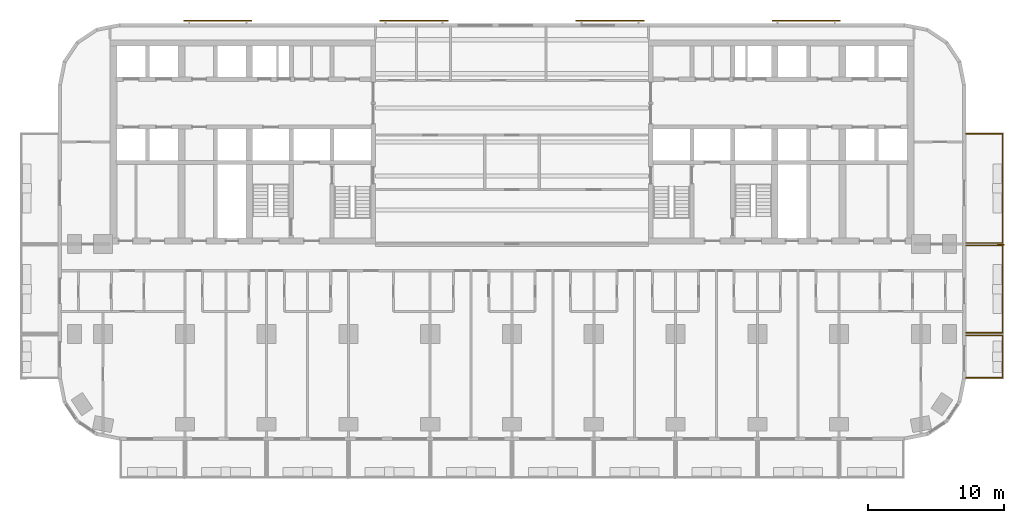
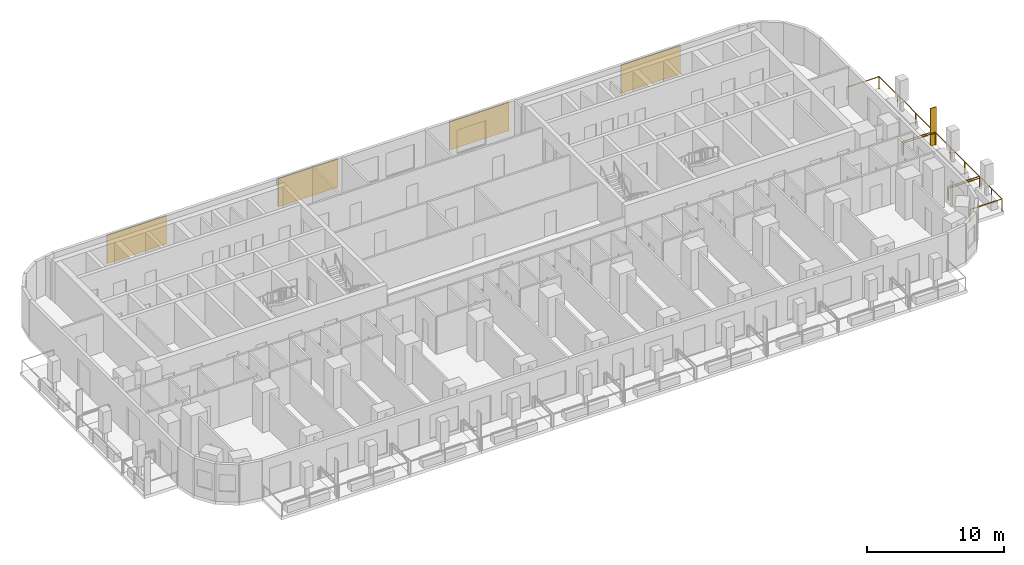
# One storey, part 14 of 15: 5 shading devices, 3 railings.
"""IFC4 building model written with IfcOpenShell, lengths in metres."""

from ifc_helpers import new_model, si_unit, direction, frame, origin, origin_2d, place, context, subcontext, project, spatial, rectangle, circle, extrude, material, layer, layer_set, type_object, element, save


model = new_model("IFC4")

# Units and contexts
model_context = context("Model", 3, precision=1e-05, world=origin(), true_north=direction((0.0, 1.0)))
body_context = subcontext(model_context, "Body", "Model", "MODEL_VIEW")
ifc_project = project(units=[si_unit("LENGTHUNIT", "METRE"), si_unit("AREAUNIT", "SQUARE_METRE"), si_unit("VOLUMEUNIT", "CUBIC_METRE"), si_unit("PLANEANGLEUNIT", "RADIAN"), si_unit("MASSUNIT", "GRAM", prefix="KILO")], contexts=[model_context])

# Site, building, storey
site_placement = place(None, origin())
site = spatial("IfcSite", under=ifc_project, at=site_placement, CompositionType="ELEMENT")
building_placement = place(site_placement, origin())
building = spatial("IfcBuilding", under=site, at=building_placement, Name="Torana Hotel and Residences", CompositionType="ELEMENT")
storey_placement = place(building_placement, frame((0.0, 0.0, 31.199951171875)))
storey = spatial("IfcBuildingStorey", under=building, at=storey_placement, Name="L06", CompositionType="ELEMENT", Elevation=31.199951171875)

# Shading device
ifc_material_1 = material(Name="Black powder coated aluminium", Category="aluminium")
ifc_layer_1 = layer(ifc_material_1, 0.080078125)
ifc_layer_set_1 = layer_set([ifc_layer_1], Name="FN1 VERTICAL FIN 500x80")
shading_device_type_1 = type_object("IfcShadingDeviceType", Name="FN1 VERTICAL FIN 500x80", PredefinedType="USERDEFINED", material=ifc_layer_set_1)
shading_device_placement = place(storey_placement, frame((35.85009765625, -15.0400390625, 0.0), z_axis=(0.0, 0.0, 1.0), x_axis=(0.0, -1.0, 0.0)))
element("IfcShadingDevice", 1, at=shading_device_placement, inside=storey, type_object=shading_device_type_1, Name="Fin 15", ObjectType="FIN", PredefinedType="USERDEFINED", context=body_context, shape_type="SweptSolid", body=[
    extrude(rectangle(XDim=0.080078125, YDim=0.5, at=origin_2d()), origin(), (0.0, 0.0, 1.0), 3.320068359375),
])

# Railings
ifc_material_2 = material(Name="Laminated glass balustrade with black handrail", Category="glass")
railing_type = type_object("IfcRailingType", Name="GR1 BALCONY GUARD 1100 GLASS", PredefinedType="GUARDRAIL", material=ifc_material_2)
railing_1_placement = place(storey_placement, frame((33.300048828125, -21.699951171875, 0.0)))
element("IfcRailing", 2, at=railing_1_placement, inside=storey, type_object=railing_type, Name="Balcony guard 14", PredefinedType="GUARDRAIL", context=body_context, shape_type="SweptSolid", body=[
    extrude(circle(Radius=0.02392578125, at=origin_2d()), frame((0.0, 0.0, 1.076171875), z_axis=(1.0, 0.0, 0.0), x_axis=(0.0, 1.0, 0.0)), (0.0, 0.0, 1.0), 2.699951171875),
    extrude(circle(Radius=0.02392578125, at=origin_2d()), frame((2.699951171875, 0.0, 1.076171875), z_axis=(0.0, -1.0, 0.0), x_axis=(1.0, 0.0, 0.0)), (0.0, 0.0, 1.0), 3.10009765625),
    extrude(circle(Radius=0.02392578125, at=origin_2d()), frame((2.699951171875, -3.10009765625, 1.076171875), z_axis=(-1.0, 0.0, 0.0), x_axis=(0.0, -1.0, 0.0)), (0.0, 0.0, 1.0), 2.699951171875),
    extrude(circle(Radius=0.02099609375, at=origin_2d()), origin(), (0.0, 0.0, 1.0), 1.052001953125),
    extrude(circle(Radius=0.02099609375, at=origin_2d()), frame((2.699951171875, 0.0, 0.0)), (0.0, 0.0, 1.0), 1.052001953125),
    extrude(circle(Radius=0.02099609375, at=origin_2d()), frame((2.699951171875, -1.550048828125, 0.0)), (0.0, 0.0, 1.0), 1.052001953125),
    extrude(circle(Radius=0.02099609375, at=origin_2d()), frame((2.699951171875, -3.10009765625, 0.0)), (0.0, 0.0, 1.0), 1.052001953125),
    extrude(circle(Radius=0.02099609375, at=origin_2d()), frame((0.0, -3.10009765625, 0.0)), (0.0, 0.0, 1.0), 1.052001953125),
])
railing_2_placement = place(storey_placement, frame((33.300048828125, -15.10009765625, 0.0)))
element("IfcRailing", 3, at=railing_2_placement, inside=storey, type_object=railing_type, Name="Balcony guard 15", PredefinedType="GUARDRAIL", context=body_context, shape_type="SweptSolid", body=[
    extrude(circle(Radius=0.02392578125, at=origin_2d()), frame((0.0, 0.0, 1.076171875), z_axis=(1.0, 0.0, 0.0), x_axis=(0.0, 1.0, 0.0)), (0.0, 0.0, 1.0), 2.699951171875),
    extrude(circle(Radius=0.02392578125, at=origin_2d()), frame((2.699951171875, 0.0, 1.076171875), z_axis=(0.0, -1.0, 0.0), x_axis=(1.0, 0.0, 0.0)), (0.0, 0.0, 1.0), 6.39990234375),
    extrude(circle(Radius=0.02392578125, at=origin_2d()), frame((2.699951171875, -6.39990234375, 1.076171875), z_axis=(-1.0, 0.0, 0.0), x_axis=(0.0, -1.0, 0.0)), (0.0, 0.0, 1.0), 2.699951171875),
    extrude(circle(Radius=0.02099609375, at=origin_2d()), origin(), (0.0, 0.0, 1.0), 1.052001953125),
    extrude(circle(Radius=0.02099609375, at=origin_2d()), frame((2.699951171875, 0.0, 0.0)), (0.0, 0.0, 1.0), 1.052001953125),
    extrude(circle(Radius=0.02099609375, at=origin_2d()), frame((2.699951171875, -2.13330078125, 0.0)), (0.0, 0.0, 1.0), 1.052001953125),
    extrude(circle(Radius=0.02099609375, at=origin_2d()), frame((2.699951171875, -4.2666015625, 0.0)), (0.0, 0.0, 1.0), 1.052001953125),
    extrude(circle(Radius=0.02099609375, at=origin_2d()), frame((2.699951171875, -6.39990234375, 0.0)), (0.0, 0.0, 1.0), 1.052001953125),
    extrude(circle(Radius=0.02099609375, at=origin_2d()), frame((0.0, -6.39990234375, 0.0)), (0.0, 0.0, 1.0), 1.052001953125),
])
railing_3_placement = place(storey_placement, frame((33.300048828125, -6.89990234375, 0.0)))
element("IfcRailing", 4, at=railing_3_placement, inside=storey, type_object=railing_type, Name="Balcony guard 16", PredefinedType="GUARDRAIL", context=body_context, shape_type="SweptSolid", body=[
    extrude(circle(Radius=0.02392578125, at=origin_2d()), frame((0.0, 0.0, 1.076171875), z_axis=(1.0, 0.0, 0.0), x_axis=(0.0, 1.0, 0.0)), (0.0, 0.0, 1.0), 2.699951171875),
    extrude(circle(Radius=0.02392578125, at=origin_2d()), frame((2.699951171875, 0.0, 1.076171875), z_axis=(0.0, -1.0, 0.0), x_axis=(1.0, 0.0, 0.0)), (0.0, 0.0, 1.0), 8.0),
    extrude(circle(Radius=0.02392578125, at=origin_2d()), frame((2.699951171875, -8.0, 1.076171875), z_axis=(-1.0, 0.0, 0.0), x_axis=(0.0, -1.0, 0.0)), (0.0, 0.0, 1.0), 2.699951171875),
    extrude(circle(Radius=0.02099609375, at=origin_2d()), origin(), (0.0, 0.0, 1.0), 1.052001953125),
    extrude(circle(Radius=0.02099609375, at=origin_2d()), frame((2.699951171875, 0.0, 0.0)), (0.0, 0.0, 1.0), 1.052001953125),
    extrude(circle(Radius=0.02099609375, at=origin_2d()), frame((2.699951171875, -2.666748046875, 0.0)), (0.0, 0.0, 1.0), 1.052001953125),
    extrude(circle(Radius=0.02099609375, at=origin_2d()), frame((2.699951171875, -5.333251953125, 0.0)), (0.0, 0.0, 1.0), 1.052001953125),
    extrude(circle(Radius=0.02099609375, at=origin_2d()), frame((2.699951171875, -8.0, 0.0)), (0.0, 0.0, 1.0), 1.052001953125),
    extrude(circle(Radius=0.02099609375, at=origin_2d()), frame((0.0, -8.0, 0.0)), (0.0, 0.0, 1.0), 1.052001953125),
])

# Shading devices
ifc_material_3 = material(Name="Concrete C40/50 precast", Category="concrete")
ifc_layer_2 = layer(ifc_material_3, 0.10009765625)
ifc_layer_set_2 = layer_set([ifc_layer_2], Name="SC1 PERFORATED BLOCK SCREEN PANEL 100")
shading_device_type_2 = type_object("IfcShadingDeviceType", Name="SC1 PERFORATED BLOCK SCREEN PANEL 100", PredefinedType="USERDEFINED", material=ifc_layer_set_2)
for number, where, z_axis, x_axis, name in (
    (5, (21.58154296875, 1.39990234375, 0.5), (0.0, 0.0, 1.0), (-1.0, 0.0, 0.0), "Perforated block screen L06"),
    (6, (7.19384765625, 1.39990234375, 0.5), (0.0, 0.0, 1.0), (-1.0, 0.0, 0.0), "Perforated block screen L06"),
    (7, (-7.19384765625, 1.39990234375, 0.5), (0.0, 0.0, 1.0), (-1.0, 0.0, 0.0), "Perforated block screen L06"),
    (8, (-21.58154296875, 1.39990234375, 0.5), (0.0, 0.0, 1.0), (-1.0, 0.0, 0.0), "Perforated block screen L06"),
):
    element("IfcShadingDevice", number, at=place(storey_placement, frame(where, z_axis=z_axis, x_axis=x_axis)), inside=storey, type_object=shading_device_type_2, Name=name, ObjectType="SCREEN", PredefinedType="USERDEFINED", context=body_context, shape_type="SweptSolid", body=[
        extrude(rectangle(XDim=5.0, YDim=0.10009765625, at=origin_2d()), origin(), (0.0, 0.0, 1.0), 2.52001953125),
    ])

save(model, "model.ifc")
